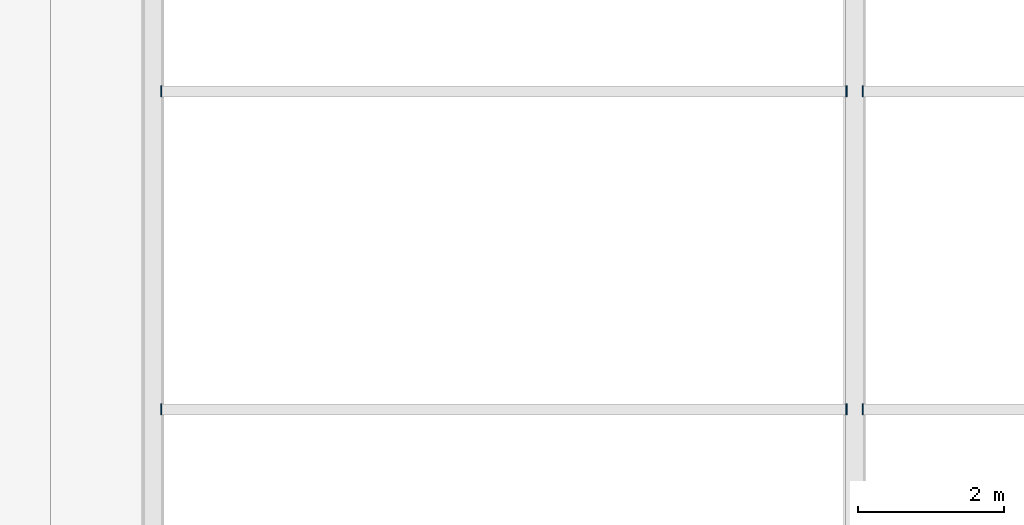
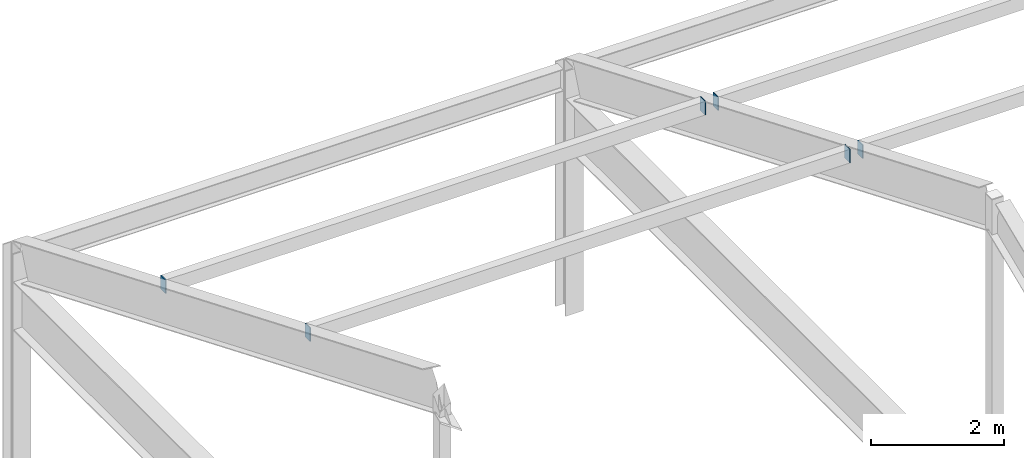
# One storey, part 60 of 88: 6 plates.
"""IFC4 building model written with IfcOpenShell, lengths in metres."""

from ifc_helpers import new_model, si_unit, direction, frame, origin, origin_2d, place, context, subcontext, project, spatial, rectangle, extrude, material, layer, layer_set, type_object, element, save


model = new_model("IFC4")

# Units and contexts
model_context = context("Model", 3, precision=1e-05, world=origin(), true_north=direction((0.0, 1.0)))
body_context = subcontext(model_context, "Body", "Model", "MODEL_VIEW")
ifc_project = project(units=[si_unit("LENGTHUNIT", "METRE"), si_unit("AREAUNIT", "SQUARE_METRE"), si_unit("VOLUMEUNIT", "CUBIC_METRE"), si_unit("PLANEANGLEUNIT", "RADIAN"), si_unit("MASSUNIT", "GRAM", prefix="KILO")], contexts=[model_context])

# Site, building, storey
site_placement = place(None, origin())
site = spatial("IfcSite", under=ifc_project, at=site_placement, CompositionType="ELEMENT")
building_placement = place(site_placement, origin())
building = spatial("IfcBuilding", under=site, at=building_placement, Name="Sarnbrook Museum", CompositionType="ELEMENT")
storey_placement = place(building_placement, frame((0.0, 0.0, 10.10009765625)))
storey = spatial("IfcBuildingStorey", under=building, at=storey_placement, Name="L02", CompositionType="ELEMENT", Elevation=10.10009765625)

# Plates
ifc_material = material(Name="Structural Steel Grade 350L0 (AS/NZS 3678, fy = 340 MPa for 20 < t <= 40 mm)", Category="steel")
ifc_layer = layer(ifc_material, 0.01611328125)
ifc_layer_set = layer_set([ifc_layer], Name="Structural Steel Grade 350L0 (AS/NZS 3678, fy = 340 MPa for 20 < t <= 40 mm)")
plate_type = type_object("IfcPlateType", Name="EndCapPlate_CAP250x150", PredefinedType="USERDEFINED", material=ifc_layer_set)
for number, where, z_axis, x_axis, name in (
    (1, (42.50390625, 26.176025390625, 6.32177734375), (1.0, 0.0, 0.0), (0.0, 1.0, 0.0), "Hollow End Cap Plate AUDPR:N:0.33:1-1"),
    (2, (51.8798828125, 26.176025390625, 6.32177734375), (1.0, 0.0, 0.0), (0.0, 1.0, 0.0), "Hollow End Cap Plate AUDPR:N:0.33:1-2"),
    (3, (52.10400390625, 26.176025390625, 6.32177734375), (1.0, 0.0, 0.0), (0.0, 1.0, 0.0), "Hollow End Cap Plate AUDPR:N:0.33:2-1"),
    (4, (42.50390625, 21.823974609375, 8.080078125), (1.0, 0.0, 0.0), (0.0, 1.0, 0.0), "Hollow End Cap Plate AUDPR:N:0.67:1-1"),
    (5, (51.8798828125, 21.823974609375, 8.080078125), (1.0, 0.0, 0.0), (0.0, 1.0, 0.0), "Hollow End Cap Plate AUDPR:N:0.67:1-2"),
    (6, (52.10400390625, 21.823974609375, 8.080078125), (1.0, 0.0, 0.0), (0.0, 1.0, 0.0), "Hollow End Cap Plate AUDPR:N:0.67:2-1"),
):
    element("IfcPlate", number, at=place(storey_placement, frame(where, z_axis=z_axis, x_axis=x_axis)), inside=storey, type_object=plate_type, Name=name, ObjectType="END CAP PLATE", PredefinedType="USERDEFINED", context=body_context, shape_type="SweptSolid", body=[
        extrude(rectangle(XDim=0.14990234375, YDim=0.25, at=origin_2d()), origin(), (0.0, 0.0, 1.0), 0.01611328125),
    ])

save(model, "model.ifc")
